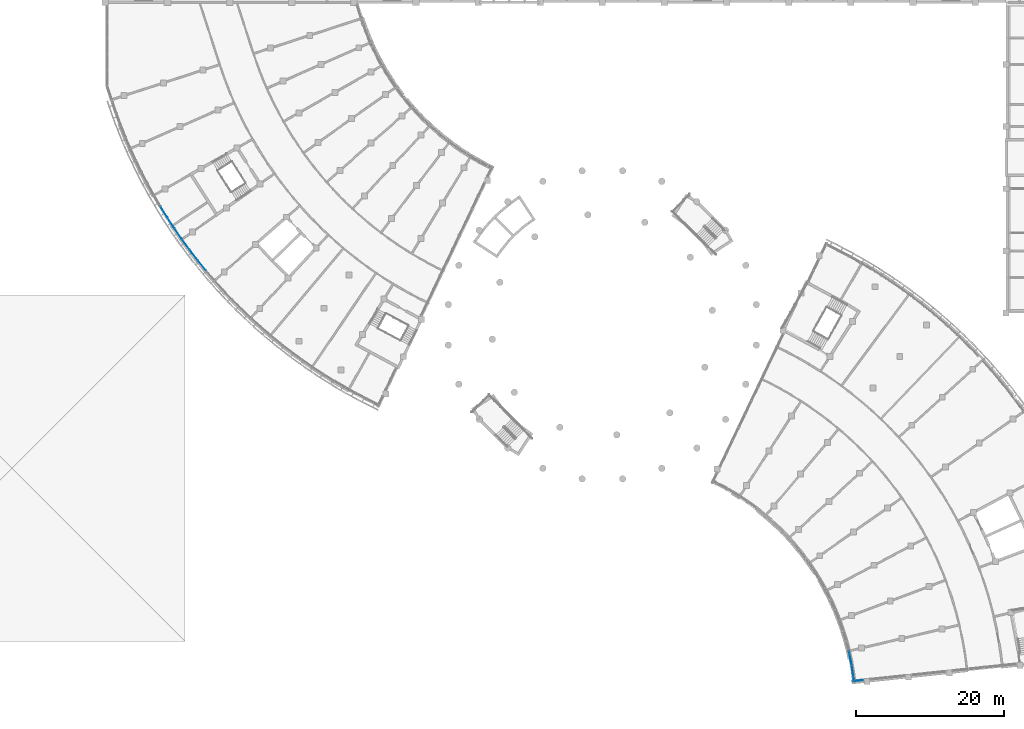
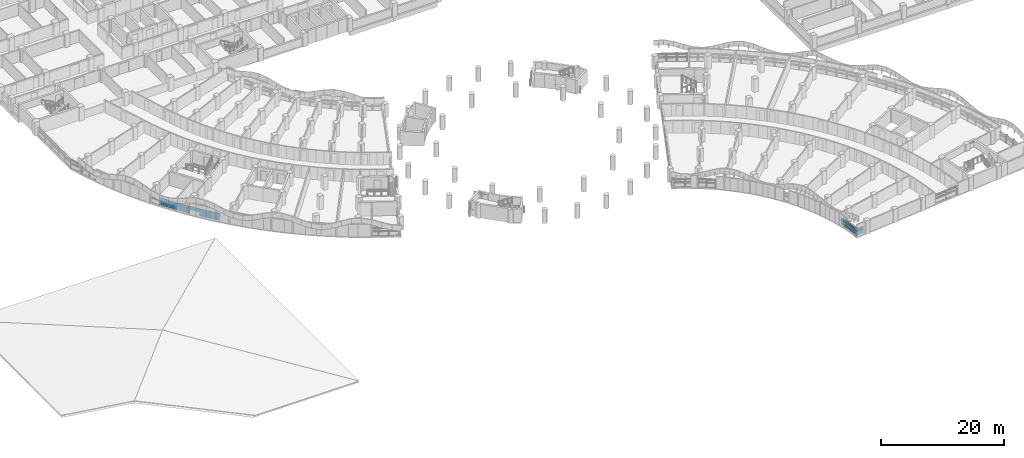
# One storey, part 26 of 89: 26 plates, 4 elements without a shape of their own.
"""IFC4 building model written with IfcOpenShell, lengths in metres."""

from ifc_helpers import new_model, si_unit, direction, frame, origin, origin_2d, place, context, subcontext, project, spatial, rectangle, extrude, material, layer, layer_set, type_object, element, aggregate, save


model = new_model("IFC4")

# Units and contexts
model_context = context("Model", 3, precision=1e-05, world=origin(), true_north=direction((0.0, 1.0)))
body_context = subcontext(model_context, "Body", "Model", "MODEL_VIEW")
ifc_project = project(units=[si_unit("LENGTHUNIT", "METRE"), si_unit("AREAUNIT", "SQUARE_METRE"), si_unit("VOLUMEUNIT", "CUBIC_METRE"), si_unit("PLANEANGLEUNIT", "RADIAN"), si_unit("MASSUNIT", "GRAM", prefix="KILO")], contexts=[model_context])

# Site, building, storey
site_placement = place(None, origin())
site = spatial("IfcSite", under=ifc_project, at=site_placement, CompositionType="ELEMENT")
building_placement = place(site_placement, origin())
building = spatial("IfcBuilding", under=site, at=building_placement, Name="Bougainvillea Quay General Hospital", CompositionType="ELEMENT")
storey_placement = place(building_placement, frame((0.0, 0.0, 9.89990234375)))
storey = spatial("IfcBuildingStorey", under=building, at=storey_placement, Name="L01M", CompositionType="ELEMENT", Elevation=9.89990234375)

# Curtain wall, plates
ifc_material_1 = material(Name="Aluminium curtain wall system, powder-coated glazed", Category="aluminium")
curtain_wall_type_1 = type_object("IfcCurtainWallType", Name="Unitised curtain wall CW-2100", PredefinedType="NOTDEFINED", material=ifc_material_1)
curtain_wall_1_placement = place(storey_placement, origin())
curtain_wall_1 = element("IfcCurtainWall", 1, at=curtain_wall_1_placement, inside=storey, type_object=curtain_wall_type_1, Name="CW-W05 a01b4", PredefinedType="NOTDEFINED")
ifc_material_2 = material(Name="Insulated aluminium spandrel panel, white", Category="aluminium")
ifc_layer_1 = layer(ifc_material_2, 0.028076171875)
ifc_layer_set_1 = layer_set([ifc_layer_1], Name="Insulated aluminium spandrel panel, white")
plate_type_1 = type_object("IfcPlateType", Name="Insulated spandrel panel white 28", PredefinedType="CURTAIN_PANEL", material=ifc_layer_set_1)
plate_1_placement = place(storey_placement, frame((55.053955078125, 82.039794921875, 0.06005859375), z_axis=(0.0, 0.0, 1.0), x_axis=(-0.630303259266, 0.776349020324, 0.0)))
plate_1 = element("IfcPlate", 2, at=plate_1_placement, type_object=plate_type_1, Name="CW-W05 spandrel panel 2.1", PredefinedType="CURTAIN_PANEL", context=body_context, shape_type="SweptSolid", body=[
    extrude(rectangle(XDim=1.708740234375, YDim=0.028076171875, at=origin_2d()), origin(), (0.0, 0.0, 1.0), 0.81005859375),
])
plate_2_placement = place(storey_placement, frame((55.053955078125, 82.039794921875, 1.080078125), z_axis=(0.0, 0.0, 1.0), x_axis=(-0.630303259266, 0.776349020324, 0.0)))
plate_2 = element("IfcPlate", 3, at=plate_2_placement, type_object=plate_type_1, Name="CW-W05 spandrel panel 2.3", PredefinedType="CURTAIN_PANEL", context=body_context, shape_type="SweptSolid", body=[
    extrude(rectangle(XDim=1.708740234375, YDim=0.028076171875, at=origin_2d()), origin(), (0.0, 0.0, 1.0), 0.409912109375),
])
plate_3_placement = place(storey_placement, frame((53.956787109375, 83.427001953125, 0.06005859375), z_axis=(0.0, 0.0, 1.0), x_axis=(-0.610414775786, 0.792081941154, 0.0)))
plate_3 = element("IfcPlate", 4, at=plate_3_placement, type_object=plate_type_1, Name="CW-W05 spandrel panel 3.1", PredefinedType="CURTAIN_PANEL", context=body_context, shape_type="SweptSolid", body=[
    extrude(rectangle(XDim=1.708740234375, YDim=0.028076171875, at=origin_2d()), origin(), (0.0, 0.0, 1.0), 0.81005859375),
])
plate_4_placement = place(storey_placement, frame((53.956787109375, 83.427001953125, 1.080078125), z_axis=(0.0, 0.0, 1.0), x_axis=(-0.610414775786, 0.792081941154, 0.0)))
plate_4 = element("IfcPlate", 5, at=plate_4_placement, type_object=plate_type_1, Name="CW-W05 spandrel panel 3.3", PredefinedType="CURTAIN_PANEL", context=body_context, shape_type="SweptSolid", body=[
    extrude(rectangle(XDim=1.708740234375, YDim=0.028076171875, at=origin_2d()), origin(), (0.0, 0.0, 1.0), 0.409912109375),
])
plate_5_placement = place(storey_placement, frame((52.90380859375, 84.829345703125, 1.080078125), z_axis=(0.0, 0.0, 1.0), x_axis=(-0.590133748864, 0.807305492643, 0.0)))
plate_5 = element("IfcPlate", 6, at=plate_5_placement, type_object=plate_type_1, Name="CW-W05 spandrel panel 4.3", PredefinedType="CURTAIN_PANEL", context=body_context, shape_type="SweptSolid", body=[
    extrude(rectangle(XDim=1.6787109375, YDim=0.028076171875, at=origin_2d()), origin(), (0.0, 0.0, 1.0), 0.409912109375),
])

curtain_wall_2_placement = place(storey_placement, origin())
curtain_wall_2 = element("IfcCurtainWall", 7, at=curtain_wall_2_placement, inside=storey, type_object=curtain_wall_type_1, Name="CW-W06 a01b5", PredefinedType="NOTDEFINED")
plate_6_placement = place(storey_placement, frame((51.86083984375, 86.294677734375, 0.06005859375), z_axis=(0.0, 0.0, 1.0), x_axis=(-0.569473220753, 0.822009884883, 0.0)))
plate_6 = element("IfcPlate", 8, at=plate_6_placement, type_object=plate_type_1, Name="CW-W06 spandrel panel 1.1", PredefinedType="CURTAIN_PANEL", context=body_context, shape_type="SweptSolid", body=[
    extrude(rectangle(XDim=1.6787109375, YDim=0.028076171875, at=origin_2d()), origin(), (0.0, 0.0, 1.0), 0.81005859375),
])
plate_7_placement = place(storey_placement, frame((51.86083984375, 86.294677734375, 1.080078125), z_axis=(0.0, 0.0, 1.0), x_axis=(-0.569473220753, 0.822009884883, 0.0)))
plate_7 = element("IfcPlate", 9, at=plate_7_placement, type_object=plate_type_1, Name="CW-W06 spandrel panel 1.3", PredefinedType="CURTAIN_PANEL", context=body_context, shape_type="SweptSolid", body=[
    extrude(rectangle(XDim=1.6787109375, YDim=0.028076171875, at=origin_2d()), origin(), (0.0, 0.0, 1.0), 0.409912109375),
])
plate_8_placement = place(storey_placement, frame((50.880859375, 87.7490234375, 0.06005859375), z_axis=(0.0, 0.0, 1.0), x_axis=(-0.548446477755, 0.836185661823, 0.0)))
plate_8 = element("IfcPlate", 10, at=plate_8_placement, type_object=plate_type_1, Name="CW-W06 spandrel panel 2.1", PredefinedType="CURTAIN_PANEL", context=body_context, shape_type="SweptSolid", body=[
    extrude(rectangle(XDim=1.708740234375, YDim=0.028076171875, at=origin_2d()), origin(), (0.0, 0.0, 1.0), 0.81005859375),
])
plate_9_placement = place(storey_placement, frame((50.880859375, 87.7490234375, 1.080078125), z_axis=(0.0, 0.0, 1.0), x_axis=(-0.548446477755, 0.836185661823, 0.0)))
plate_9 = element("IfcPlate", 11, at=plate_9_placement, type_object=plate_type_1, Name="CW-W06 spandrel panel 2.3", PredefinedType="CURTAIN_PANEL", context=body_context, shape_type="SweptSolid", body=[
    extrude(rectangle(XDim=1.708740234375, YDim=0.028076171875, at=origin_2d()), origin(), (0.0, 0.0, 1.0), 0.409912109375),
])
plate_10_placement = place(storey_placement, frame((49.9296875, 89.239990234375, 0.06005859375), z_axis=(0.0, 0.0, 1.0), x_axis=(-0.527067041675, 0.849823707353, 0.0)))
plate_10 = element("IfcPlate", 12, at=plate_10_placement, type_object=plate_type_1, Name="CW-W06 spandrel panel 3.1", PredefinedType="CURTAIN_PANEL", context=body_context, shape_type="SweptSolid", body=[
    extrude(rectangle(XDim=1.708740234375, YDim=0.028076171875, at=origin_2d()), origin(), (0.0, 0.0, 1.0), 0.81005859375),
])
plate_11_placement = place(storey_placement, frame((49.9296875, 89.239990234375, 1.080078125), z_axis=(0.0, 0.0, 1.0), x_axis=(-0.527067041675, 0.849823707353, 0.0)))
plate_11 = element("IfcPlate", 13, at=plate_11_placement, type_object=plate_type_1, Name="CW-W06 spandrel panel 3.3", PredefinedType="CURTAIN_PANEL", context=body_context, shape_type="SweptSolid", body=[
    extrude(rectangle(XDim=1.708740234375, YDim=0.028076171875, at=origin_2d()), origin(), (0.0, 0.0, 1.0), 0.409912109375),
])

curtain_wall_3_placement = place(storey_placement, origin())
curtain_wall_3 = element("IfcCurtainWall", 14, at=curtain_wall_3_placement, inside=storey, type_object=curtain_wall_type_1, Name="CW-E08 a12b7", PredefinedType="NOTDEFINED")
plate_12_placement = place(storey_placement, frame((142.7353515625, 28.886962890625, 0.06005859375), z_axis=(0.0, 0.0, 1.0), x_axis=(0.201594935096, -0.979468979674, 0.0)))
plate_12 = element("IfcPlate", 15, at=plate_12_placement, type_object=plate_type_1, Name="CW-E08 spandrel panel 1.1", PredefinedType="CURTAIN_PANEL", context=body_context, shape_type="SweptSolid", body=[
    extrude(rectangle(XDim=1.925048828125, YDim=0.028076171875, at=origin_2d()), origin(), (0.0, 0.0, 1.0), 0.81005859375),
])
plate_13_placement = place(storey_placement, frame((142.7353515625, 28.886962890625, 1.080078125), z_axis=(0.0, 0.0, 1.0), x_axis=(0.201594935096, -0.979468979674, 0.0)))
plate_13 = element("IfcPlate", 16, at=plate_13_placement, type_object=plate_type_1, Name="CW-E08 spandrel panel 1.3", PredefinedType="CURTAIN_PANEL", context=body_context, shape_type="SweptSolid", body=[
    extrude(rectangle(XDim=1.925048828125, YDim=0.028076171875, at=origin_2d()), origin(), (0.0, 0.0, 1.0), 0.409912109375),
])
plate_14_placement = place(storey_placement, frame((143.077880859375, 26.932373046875, 0.06005859375), z_axis=(0.0, 0.0, 1.0), x_axis=(0.143643342173, -0.989629521715, 0.0)))
plate_14 = element("IfcPlate", 17, at=plate_14_placement, type_object=plate_type_1, Name="CW-E08 spandrel panel 2.1", PredefinedType="CURTAIN_PANEL", context=body_context, shape_type="SweptSolid", body=[
    extrude(rectangle(XDim=1.925048828125, YDim=0.028076171875, at=origin_2d()), origin(), (0.0, 0.0, 1.0), 0.81005859375),
])
plate_15_placement = place(storey_placement, frame((143.077880859375, 26.932373046875, 1.080078125), z_axis=(0.0, 0.0, 1.0), x_axis=(0.143643342173, -0.989629521715, 0.0)))
plate_15 = element("IfcPlate", 18, at=plate_15_placement, type_object=plate_type_1, Name="CW-E08 spandrel panel 2.3", PredefinedType="CURTAIN_PANEL", context=body_context, shape_type="SweptSolid", body=[
    extrude(rectangle(XDim=1.925048828125, YDim=0.028076171875, at=origin_2d()), origin(), (0.0, 0.0, 1.0), 0.409912109375),
])

curtain_wall_type_2 = type_object("IfcCurtainWallType", Name="Unitised curtain wall CW-1581", PredefinedType="NOTDEFINED", material=ifc_material_1)
curtain_wall_4_placement = place(storey_placement, origin())
curtain_wall_4 = element("IfcCurtainWall", 19, at=curtain_wall_4_placement, inside=storey, type_object=curtain_wall_type_2, Name="CW-AE 00", PredefinedType="NOTDEFINED")
plate_16_placement = place(storey_placement, frame((143.773681640625, 25.88525390625, 0.06005859375), z_axis=(0.0, 0.0, 1.0), x_axis=(0.9945220309, 0.104527173765, 0.0)))
plate_16 = element("IfcPlate", 20, at=plate_16_placement, type_object=plate_type_1, Name="CW-AE spandrel panel 1.1", PredefinedType="CURTAIN_PANEL", context=body_context, shape_type="SweptSolid", body=[
    extrude(rectangle(XDim=1.460205078125, YDim=0.028076171875, at=origin_2d()), origin(), (0.0, 0.0, 1.0), 0.81005859375),
])
plate_17_placement = place(storey_placement, frame((143.773681640625, 25.88525390625, 1.080078125), z_axis=(0.0, 0.0, 1.0), x_axis=(0.9945220309, 0.104527173765, 0.0)))
plate_17 = element("IfcPlate", 21, at=plate_17_placement, type_object=plate_type_1, Name="CW-AE spandrel panel 1.3", PredefinedType="CURTAIN_PANEL", context=body_context, shape_type="SweptSolid", body=[
    extrude(rectangle(XDim=1.460205078125, YDim=0.028076171875, at=origin_2d()), origin(), (0.0, 0.0, 1.0), 0.409912109375),
])

# Plate
ifc_material_3 = material(Name="Low-e laminated glass, solar control", Category="glass")
ifc_layer_2 = layer(ifc_material_3, 0.028076171875)
ifc_layer_set_2 = layer_set([ifc_layer_2], Name="Low-e laminated glass, solar control")
plate_type_2 = type_object("IfcPlateType", Name="Low-e laminated vision glass 28", PredefinedType="CURTAIN_PANEL", material=ifc_layer_set_2)
plate_18_placement = place(storey_placement, frame((55.053955078125, 82.039794921875, 0.93017578125), z_axis=(0.0, 0.0, 1.0), x_axis=(-0.630303259266, 0.776349020324, 0.0)))
plate_18 = element("IfcPlate", 22, at=plate_18_placement, type_object=plate_type_2, Name="CW-W05 vision glass panel 2.2", PredefinedType="CURTAIN_PANEL", context=body_context, shape_type="SweptSolid", body=[
    extrude(rectangle(XDim=1.708740234375, YDim=0.028076171875, at=origin_2d()), origin(), (0.0, 0.0, 1.0), 0.090087890625),
])

plate_19_placement = place(storey_placement, frame((53.956787109375, 83.427001953125, 0.93017578125), z_axis=(0.0, 0.0, 1.0), x_axis=(-0.610414775786, 0.792081941154, 0.0)))
plate_19 = element("IfcPlate", 23, at=plate_19_placement, type_object=plate_type_2, Name="CW-W05 vision glass panel 3.2", PredefinedType="CURTAIN_PANEL", context=body_context, shape_type="SweptSolid", body=[
    extrude(rectangle(XDim=1.708740234375, YDim=0.028076171875, at=origin_2d()), origin(), (0.0, 0.0, 1.0), 0.090087890625),
])

plate_20_placement = place(storey_placement, frame((52.90380859375, 84.829345703125, 0.93017578125), z_axis=(0.0, 0.0, 1.0), x_axis=(-0.590133748864, 0.807305492643, 0.0)))
plate_20 = element("IfcPlate", 24, at=plate_20_placement, type_object=plate_type_2, Name="CW-W05 vision glass panel 4.2", PredefinedType="CURTAIN_PANEL", context=body_context, shape_type="SweptSolid", body=[
    extrude(rectangle(XDim=1.6787109375, YDim=0.028076171875, at=origin_2d()), origin(), (0.0, 0.0, 1.0), 0.090087890625),
])

aggregate(curtain_wall_1, [plate_1, plate_18, plate_2, plate_3, plate_19, plate_4, plate_20, plate_5])

plate_21_placement = place(storey_placement, frame((51.86083984375, 86.294677734375, 0.93017578125), z_axis=(0.0, 0.0, 1.0), x_axis=(-0.569473220753, 0.822009884883, 0.0)))
plate_21 = element("IfcPlate", 25, at=plate_21_placement, type_object=plate_type_2, Name="CW-W06 vision glass panel 1.2", PredefinedType="CURTAIN_PANEL", context=body_context, shape_type="SweptSolid", body=[
    extrude(rectangle(XDim=1.6787109375, YDim=0.028076171875, at=origin_2d()), origin(), (0.0, 0.0, 1.0), 0.090087890625),
])

plate_22_placement = place(storey_placement, frame((50.880859375, 87.7490234375, 0.93017578125), z_axis=(0.0, 0.0, 1.0), x_axis=(-0.548446477755, 0.836185661823, 0.0)))
plate_22 = element("IfcPlate", 26, at=plate_22_placement, type_object=plate_type_2, Name="CW-W06 vision glass panel 2.2", PredefinedType="CURTAIN_PANEL", context=body_context, shape_type="SweptSolid", body=[
    extrude(rectangle(XDim=1.708740234375, YDim=0.028076171875, at=origin_2d()), origin(), (0.0, 0.0, 1.0), 0.090087890625),
])

plate_23_placement = place(storey_placement, frame((49.9296875, 89.239990234375, 0.93017578125), z_axis=(0.0, 0.0, 1.0), x_axis=(-0.527067041675, 0.849823707353, 0.0)))
plate_23 = element("IfcPlate", 27, at=plate_23_placement, type_object=plate_type_2, Name="CW-W06 vision glass panel 3.2", PredefinedType="CURTAIN_PANEL", context=body_context, shape_type="SweptSolid", body=[
    extrude(rectangle(XDim=1.708740234375, YDim=0.028076171875, at=origin_2d()), origin(), (0.0, 0.0, 1.0), 0.090087890625),
])

aggregate(curtain_wall_2, [plate_6, plate_21, plate_7, plate_8, plate_22, plate_9, plate_10, plate_23, plate_11])

plate_24_placement = place(storey_placement, frame((142.7353515625, 28.886962890625, 0.93017578125), z_axis=(0.0, 0.0, 1.0), x_axis=(0.201594935096, -0.979468979674, 0.0)))
plate_24 = element("IfcPlate", 28, at=plate_24_placement, type_object=plate_type_2, Name="CW-E08 vision glass panel 1.2", PredefinedType="CURTAIN_PANEL", context=body_context, shape_type="SweptSolid", body=[
    extrude(rectangle(XDim=1.925048828125, YDim=0.028076171875, at=origin_2d()), origin(), (0.0, 0.0, 1.0), 0.090087890625),
])

plate_25_placement = place(storey_placement, frame((143.077880859375, 26.932373046875, 0.93017578125), z_axis=(0.0, 0.0, 1.0), x_axis=(0.143643342173, -0.989629521715, 0.0)))
plate_25 = element("IfcPlate", 29, at=plate_25_placement, type_object=plate_type_2, Name="CW-E08 vision glass panel 2.2", PredefinedType="CURTAIN_PANEL", context=body_context, shape_type="SweptSolid", body=[
    extrude(rectangle(XDim=1.925048828125, YDim=0.028076171875, at=origin_2d()), origin(), (0.0, 0.0, 1.0), 0.090087890625),
])

aggregate(curtain_wall_3, [plate_12, plate_24, plate_13, plate_14, plate_25, plate_15])

plate_26_placement = place(storey_placement, frame((143.773681640625, 25.88525390625, 0.93017578125), z_axis=(0.0, 0.0, 1.0), x_axis=(0.9945220309, 0.104527173765, 0.0)))
plate_26 = element("IfcPlate", 30, at=plate_26_placement, type_object=plate_type_2, Name="CW-AE vision glass panel 1.2", PredefinedType="CURTAIN_PANEL", context=body_context, shape_type="SweptSolid", body=[
    extrude(rectangle(XDim=1.460205078125, YDim=0.028076171875, at=origin_2d()), origin(), (0.0, 0.0, 1.0), 0.090087890625),
])

aggregate(curtain_wall_4, [plate_16, plate_26, plate_17])

save(model, "model.ifc")
